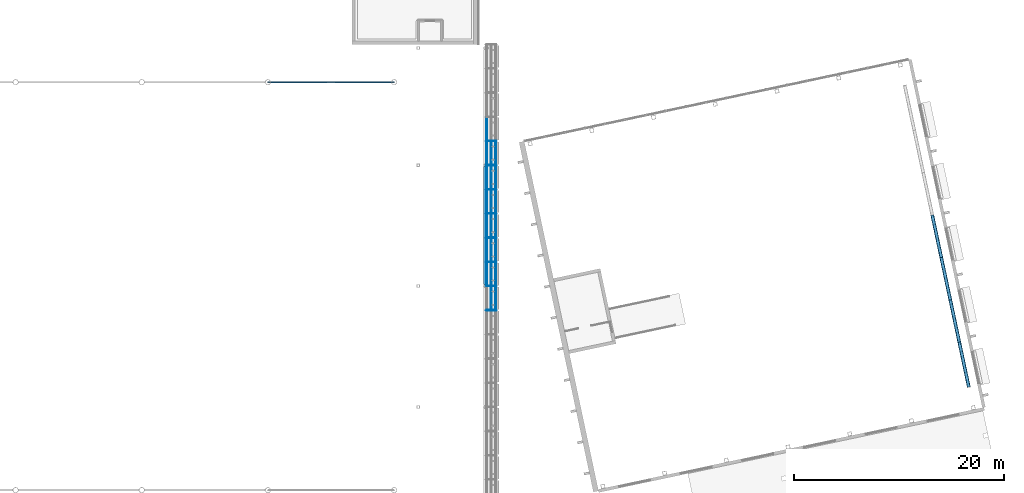
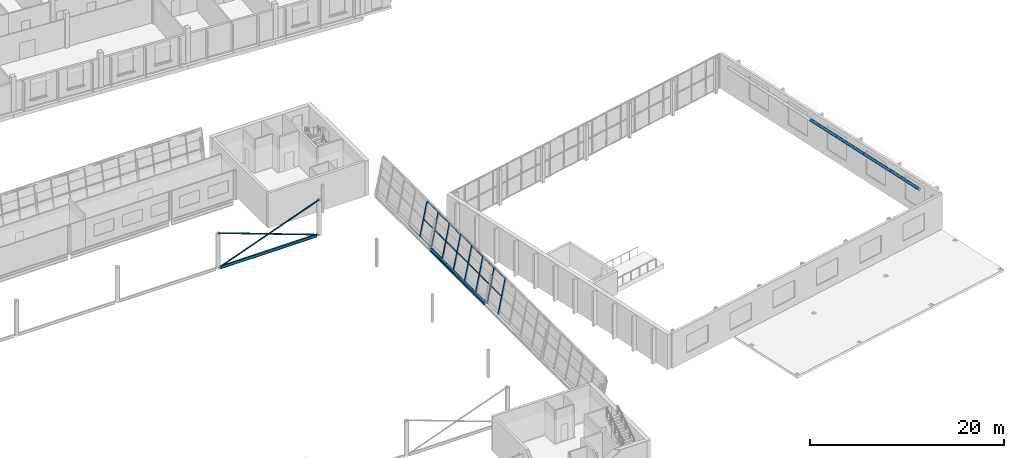
# One storey, part 31 of 95: 36 members, 2 beams, 1 element without a shape of its own.
"""IFC4 building model written with IfcOpenShell, lengths in metres."""

from ifc_helpers import new_model, si_unit, direction, frame, origin, origin_2d, place, context, subcontext, project, spatial, rectangle, hollow_circle, i_section, extrude, material, layer, layer_set, material_profile, profile_set, type_object, element, aggregate, save


model = new_model("IFC4")

# Units and contexts
model_context = context("Model", 3, precision=1e-05, world=origin(), true_north=direction((0.0, 1.0)))
body_context = subcontext(model_context, "Body", "Model", "MODEL_VIEW")
ifc_project = project(units=[si_unit("LENGTHUNIT", "METRE"), si_unit("AREAUNIT", "SQUARE_METRE"), si_unit("VOLUMEUNIT", "CUBIC_METRE"), si_unit("PLANEANGLEUNIT", "RADIAN"), si_unit("MASSUNIT", "GRAM", prefix="KILO")], contexts=[model_context])

# Site, building, storey
site_placement = place(None, origin())
site = spatial("IfcSite", under=ifc_project, at=site_placement, CompositionType="ELEMENT")
building_placement = place(site_placement, origin())
building = spatial("IfcBuilding", under=site, at=building_placement, Name="Windward Yard Aquatics Centre", CompositionType="ELEMENT")
storey_placement = place(building_placement, frame((0.0, 0.0, 9.39990234375)))
storey = spatial("IfcBuildingStorey", under=building, at=storey_placement, Name="L02", CompositionType="ELEMENT", Elevation=9.39990234375)

# Members
ifc_material_1 = material(Name="Steel ASTM A500 Gr C", Category="steel")
ifc_material_profile_1 = material_profile(ifc_material_1, hollow_circle(Radius=0.161865234375, WallThickness=0.0126953125, at=origin_2d()), Name="HSS323.9X12.7")
ifc_profile_set_1 = profile_set([ifc_material_profile_1], Name="Steel ASTM A500 Gr C")
member_type_1 = type_object("IfcMemberType", Name="D bottom chord HSS323.9X12.7", PredefinedType="CHORD", material=ifc_profile_set_1)
member_1_placement = place(storey_placement, frame((198.656982421875, 51.391357421875, 4.16796875), z_axis=(-0.207918885104, 0.978146071513, 0.0), x_axis=(-0.978146071513, -0.207918885104, 0.0)))
element("IfcMember", 1, at=member_1_placement, inside=storey, type_object=member_type_1, Name="D.M.TR7.BC1", PredefinedType="CHORD", context=body_context, shape_type="SweptSolid", body=[
    extrude(hollow_circle(Radius=0.161865234375, WallThickness=0.0126953125, at=origin_2d()), origin(), (0.0, 0.0, 1.0), 4.370361328125),
])
for number, where, z_axis, x_axis, name in (
    (2, (197.748291015625, 55.666259765625, 4.16796875), (-0.207906233063, 0.978148760799, 0.0), (-0.978148760799, -0.207906233063, 0.0), "D.M.TR7.BC2"),
    (3, (196.8916015625, 59.69677734375, 4.16796875), (-0.207906233063, 0.978148760799, 0.0), (-0.978148760799, -0.207906233063, 0.0), "D.M.TR7.BC3"),
):
    element("IfcMember", number, at=place(storey_placement, frame(where, z_axis=z_axis, x_axis=x_axis)), inside=storey, type_object=member_type_1, Name=name, PredefinedType="CHORD", context=body_context, shape_type="SweptSolid", body=[
        extrude(hollow_circle(Radius=0.161865234375, WallThickness=0.0126953125, at=origin_2d()), origin(), (0.0, 0.0, 1.0), 4.12060546875),
    ])
member_2_placement = place(storey_placement, frame((196.034912109375, 63.727294921875, 4.16796875), z_axis=(-0.2079182829, 0.97814619952, 0.0), x_axis=(-0.97814619952, -0.2079182829, 0.0)))
element("IfcMember", 4, at=member_2_placement, inside=storey, type_object=member_type_1, Name="D.M.TR7.BC4", PredefinedType="CHORD", context=body_context, shape_type="SweptSolid", body=[
    extrude(hollow_circle(Radius=0.161865234375, WallThickness=0.0126953125, at=origin_2d()), origin(), (0.0, 0.0, 1.0), 4.120361328125),
])

# Curtain wall, members
ifc_material_2 = material(Name="Glass and aluminium curtain wall", Category="aluminium")
ifc_layer = layer(ifc_material_2, 0.179931640625)
ifc_layer_set = layer_set([ifc_layer], Name="H curtain wall tier 1 double glazed 8+16+8")
curtain_wall_type = type_object("IfcCurtainWallType", Name="H curtain wall tier 1 double glazed 8+16+8", PredefinedType="NOTDEFINED", material=ifc_layer_set)
curtain_wall_placement = place(storey_placement, origin())
curtain_wall = element("IfcCurtainWall", 5, at=curtain_wall_placement, inside=storey, type_object=curtain_wall_type, Name="Tier 1 glazing E L02", PredefinedType="NOTDEFINED")
ifc_material_3 = material(Name="Aluminium 6063-T6 anodised", Category="aluminium")
ifc_material_profile_2 = material_profile(ifc_material_3, rectangle(XDim=0.06494140625, YDim=0.179931640625, at=origin_2d()), Name="H CW mullion 65x180")
ifc_profile_set_2 = profile_set([ifc_material_profile_2], Name="Aluminium 6063-T6 anodised")
member_type_2 = type_object("IfcMemberType", Name="H CW mullion 65x180", PredefinedType="MULLION", material=ifc_profile_set_2)
member_3_placement = place(storey_placement, frame((152.803466796875, 58.699951171875, 0.0), z_axis=(0.199322032497, 0.0, 0.979934042352), x_axis=(0.0, 1.0, 0.0)))
member_3 = element("IfcMember", 6, at=member_3_placement, type_object=member_type_2, Name="G1EA mullion 10", PredefinedType="MULLION", context=body_context, shape_type="SweptSolid", body=[
    extrude(rectangle(XDim=0.06494140625, YDim=0.179931640625, at=origin_2d()), origin(), (0.0, 0.0, 1.0), 4.31884765625),
])
member_4_placement = place(storey_placement, frame((152.803466796875, 61.0, 0.0), z_axis=(0.199322032497, 0.0, 0.979934042352), x_axis=(0.0, 1.0, 0.0)))
member_4 = element("IfcMember", 7, at=member_4_placement, type_object=member_type_2, Name="G1EA mullion 11", PredefinedType="MULLION", context=body_context, shape_type="SweptSolid", body=[
    extrude(rectangle(XDim=0.06494140625, YDim=0.179931640625, at=origin_2d()), origin(), (0.0, 0.0, 1.0), 4.31884765625),
])
member_5_placement = place(storey_placement, frame((152.803466796875, 63.300048828125, 0.0), z_axis=(0.199322032497, 0.0, 0.979934042352), x_axis=(0.0, 1.0, 0.0)))
member_5 = element("IfcMember", 8, at=member_5_placement, type_object=member_type_2, Name="G1EA mullion 12", PredefinedType="MULLION", context=body_context, shape_type="SweptSolid", body=[
    extrude(rectangle(XDim=0.06494140625, YDim=0.179931640625, at=origin_2d()), origin(), (0.0, 0.0, 1.0), 4.31884765625),
])
member_6_placement = place(storey_placement, frame((152.803466796875, 65.60009765625, 0.0), z_axis=(0.199322032497, 0.0, 0.979934042352), x_axis=(0.0, 1.0, 0.0)))
member_6 = element("IfcMember", 9, at=member_6_placement, type_object=member_type_2, Name="G1EA mullion 13", PredefinedType="MULLION", context=body_context, shape_type="SweptSolid", body=[
    extrude(rectangle(XDim=0.06494140625, YDim=0.179931640625, at=origin_2d()), origin(), (0.0, 0.0, 1.0), 4.31884765625),
])
member_7_placement = place(storey_placement, frame((152.803466796875, 67.89990234375, 0.0), z_axis=(0.199322032497, 0.0, 0.979934042352), x_axis=(0.0, 1.0, 0.0)))
member_7 = element("IfcMember", 10, at=member_7_placement, type_object=member_type_2, Name="G1EA mullion 14", PredefinedType="MULLION", context=body_context, shape_type="SweptSolid", body=[
    extrude(rectangle(XDim=0.06494140625, YDim=0.179931640625, at=origin_2d()), origin(), (0.0, 0.0, 1.0), 4.31884765625),
])
member_8_placement = place(storey_placement, frame((152.803466796875, 70.199951171875, 0.0), z_axis=(0.199322032497, 0.0, 0.979934042352), x_axis=(0.0, 1.0, 0.0)))
member_8 = element("IfcMember", 11, at=member_8_placement, type_object=member_type_2, Name="G1EA mullion 15", PredefinedType="MULLION", context=body_context, shape_type="SweptSolid", body=[
    extrude(rectangle(XDim=0.06494140625, YDim=0.179931640625, at=origin_2d()), origin(), (0.0, 0.0, 1.0), 4.31884765625),
])
member_9_placement = place(storey_placement, frame((152.803466796875, 72.5, 0.0), z_axis=(0.199322032497, 0.0, 0.979934042352), x_axis=(0.0, 1.0, 0.0)))
member_9 = element("IfcMember", 12, at=member_9_placement, type_object=member_type_2, Name="G1EA mullion 16", PredefinedType="MULLION", context=body_context, shape_type="SweptSolid", body=[
    extrude(rectangle(XDim=0.06494140625, YDim=0.179931640625, at=origin_2d()), origin(), (0.0, 0.0, 1.0), 4.31884765625),
])
member_10_placement = place(storey_placement, frame((152.803466796875, 74.800048828125, 0.0), z_axis=(0.199322032497, 0.0, 0.979934042352), x_axis=(0.0, 1.0, 0.0)))
member_10 = element("IfcMember", 13, at=member_10_placement, type_object=member_type_2, Name="G1EA mullion 17", PredefinedType="MULLION", context=body_context, shape_type="SweptSolid", body=[
    extrude(rectangle(XDim=0.06494140625, YDim=0.179931640625, at=origin_2d()), origin(), (0.0, 0.0, 1.0), 4.31884765625),
])
ifc_material_profile_3 = material_profile(ifc_material_3, rectangle(XDim=0.06494140625, YDim=0.10009765625, at=origin_2d()), Name="H CW transom 65x100")
ifc_profile_set_3 = profile_set([ifc_material_profile_3], Name="Aluminium 6063-T6 anodised")
member_type_3 = type_object("IfcMemberType", Name="H CW transom 65x100", PredefinedType="USERDEFINED", material=ifc_profile_set_3)
member_11_placement = place(storey_placement, frame((153.235595703125, 58.732421875, 2.125), z_axis=(0.0, 1.0, 0.0), x_axis=(-0.9799247046, 0.0, 0.19936793452)))
member_11 = element("IfcMember", 14, at=member_11_placement, type_object=member_type_3, Name="G1EA transom 10.2", ObjectType="TRANSOM", PredefinedType="USERDEFINED", context=body_context, shape_type="SweptSolid", body=[
    extrude(rectangle(XDim=0.06494140625, YDim=0.10009765625, at=origin_2d()), origin(), (0.0, 0.0, 1.0), 2.235107421875),
])
member_12_placement = place(storey_placement, frame((153.65673828125, 58.732421875, 4.194580078125), z_axis=(0.0, 1.0, 0.0), x_axis=(-0.9799247046, 0.0, 0.19936793452)))
member_12 = element("IfcMember", 15, at=member_12_placement, type_object=member_type_3, Name="G1EA transom 10.3", ObjectType="TRANSOM", PredefinedType="USERDEFINED", context=body_context, shape_type="SweptSolid", body=[
    extrude(rectangle(XDim=0.06494140625, YDim=0.10009765625, at=origin_2d()), origin(), (0.0, 0.0, 1.0), 2.235107421875),
])
member_13_placement = place(storey_placement, frame((152.813232421875, 61.032470703125, 0.049072265625), z_axis=(0.0, 1.0, 0.0), x_axis=(-0.9799247046, 0.0, 0.19936793452)))
member_13 = element("IfcMember", 16, at=member_13_placement, type_object=member_type_3, Name="G1EA transom 11.1", ObjectType="TRANSOM", PredefinedType="USERDEFINED", context=body_context, shape_type="SweptSolid", body=[
    extrude(rectangle(XDim=0.06494140625, YDim=0.10009765625, at=origin_2d()), origin(), (0.0, 0.0, 1.0), 2.235107421875),
])
member_14_placement = place(storey_placement, frame((153.235595703125, 61.032470703125, 2.125), z_axis=(0.0, 1.0, 0.0), x_axis=(-0.9799247046, 0.0, 0.19936793452)))
member_14 = element("IfcMember", 17, at=member_14_placement, type_object=member_type_3, Name="G1EA transom 11.2", ObjectType="TRANSOM", PredefinedType="USERDEFINED", context=body_context, shape_type="SweptSolid", body=[
    extrude(rectangle(XDim=0.06494140625, YDim=0.10009765625, at=origin_2d()), origin(), (0.0, 0.0, 1.0), 2.235107421875),
])
member_15_placement = place(storey_placement, frame((153.65673828125, 61.032470703125, 4.194580078125), z_axis=(0.0, 1.0, 0.0), x_axis=(-0.9799247046, 0.0, 0.19936793452)))
member_15 = element("IfcMember", 18, at=member_15_placement, type_object=member_type_3, Name="G1EA transom 11.3", ObjectType="TRANSOM", PredefinedType="USERDEFINED", context=body_context, shape_type="SweptSolid", body=[
    extrude(rectangle(XDim=0.06494140625, YDim=0.10009765625, at=origin_2d()), origin(), (0.0, 0.0, 1.0), 2.235107421875),
])
member_16_placement = place(storey_placement, frame((152.813232421875, 63.33251953125, 0.049072265625), z_axis=(0.0, 1.0, 0.0), x_axis=(-0.9799247046, 0.0, 0.19936793452)))
member_16 = element("IfcMember", 19, at=member_16_placement, type_object=member_type_3, Name="G1EA transom 12.1", ObjectType="TRANSOM", PredefinedType="USERDEFINED", context=body_context, shape_type="SweptSolid", body=[
    extrude(rectangle(XDim=0.06494140625, YDim=0.10009765625, at=origin_2d()), origin(), (0.0, 0.0, 1.0), 2.23486328125),
])
member_17_placement = place(storey_placement, frame((153.235595703125, 63.33251953125, 2.125), z_axis=(0.0, 1.0, 0.0), x_axis=(-0.9799247046, 0.0, 0.19936793452)))
member_17 = element("IfcMember", 20, at=member_17_placement, type_object=member_type_3, Name="G1EA transom 12.2", ObjectType="TRANSOM", PredefinedType="USERDEFINED", context=body_context, shape_type="SweptSolid", body=[
    extrude(rectangle(XDim=0.06494140625, YDim=0.10009765625, at=origin_2d()), origin(), (0.0, 0.0, 1.0), 2.23486328125),
])
member_18_placement = place(storey_placement, frame((153.65673828125, 63.33251953125, 4.194580078125), z_axis=(0.0, 1.0, 0.0), x_axis=(-0.9799247046, 0.0, 0.19936793452)))
member_18 = element("IfcMember", 21, at=member_18_placement, type_object=member_type_3, Name="G1EA transom 12.3", ObjectType="TRANSOM", PredefinedType="USERDEFINED", context=body_context, shape_type="SweptSolid", body=[
    extrude(rectangle(XDim=0.06494140625, YDim=0.10009765625, at=origin_2d()), origin(), (0.0, 0.0, 1.0), 2.23486328125),
])
member_19_placement = place(storey_placement, frame((152.813232421875, 65.632568359375, 0.049072265625), z_axis=(0.0, 1.0, 0.0), x_axis=(-0.9799247046, 0.0, 0.19936793452)))
member_19 = element("IfcMember", 22, at=member_19_placement, type_object=member_type_3, Name="G1EA transom 13.1", ObjectType="TRANSOM", PredefinedType="USERDEFINED", context=body_context, shape_type="SweptSolid", body=[
    extrude(rectangle(XDim=0.06494140625, YDim=0.10009765625, at=origin_2d()), origin(), (0.0, 0.0, 1.0), 2.23486328125),
])
member_20_placement = place(storey_placement, frame((153.235595703125, 65.632568359375, 2.125), z_axis=(0.0, 1.0, 0.0), x_axis=(-0.9799247046, 0.0, 0.19936793452)))
member_20 = element("IfcMember", 23, at=member_20_placement, type_object=member_type_3, Name="G1EA transom 13.2", ObjectType="TRANSOM", PredefinedType="USERDEFINED", context=body_context, shape_type="SweptSolid", body=[
    extrude(rectangle(XDim=0.06494140625, YDim=0.10009765625, at=origin_2d()), origin(), (0.0, 0.0, 1.0), 2.23486328125),
])
member_21_placement = place(storey_placement, frame((153.65673828125, 65.632568359375, 4.194580078125), z_axis=(0.0, 1.0, 0.0), x_axis=(-0.9799247046, 0.0, 0.19936793452)))
member_21 = element("IfcMember", 24, at=member_21_placement, type_object=member_type_3, Name="G1EA transom 13.3", ObjectType="TRANSOM", PredefinedType="USERDEFINED", context=body_context, shape_type="SweptSolid", body=[
    extrude(rectangle(XDim=0.06494140625, YDim=0.10009765625, at=origin_2d()), origin(), (0.0, 0.0, 1.0), 2.23486328125),
])
member_22_placement = place(storey_placement, frame((152.813232421875, 67.9326171875, 0.049072265625), z_axis=(0.0, 1.0, 0.0), x_axis=(-0.9799247046, 0.0, 0.19936793452)))
member_22 = element("IfcMember", 25, at=member_22_placement, type_object=member_type_3, Name="G1EA transom 14.1", ObjectType="TRANSOM", PredefinedType="USERDEFINED", context=body_context, shape_type="SweptSolid", body=[
    extrude(rectangle(XDim=0.06494140625, YDim=0.10009765625, at=origin_2d()), origin(), (0.0, 0.0, 1.0), 2.23486328125),
])
member_23_placement = place(storey_placement, frame((153.235595703125, 67.9326171875, 2.125), z_axis=(0.0, 1.0, 0.0), x_axis=(-0.9799247046, 0.0, 0.19936793452)))
member_23 = element("IfcMember", 26, at=member_23_placement, type_object=member_type_3, Name="G1EA transom 14.2", ObjectType="TRANSOM", PredefinedType="USERDEFINED", context=body_context, shape_type="SweptSolid", body=[
    extrude(rectangle(XDim=0.06494140625, YDim=0.10009765625, at=origin_2d()), origin(), (0.0, 0.0, 1.0), 2.23486328125),
])
member_24_placement = place(storey_placement, frame((153.65673828125, 67.9326171875, 4.194580078125), z_axis=(0.0, 1.0, 0.0), x_axis=(-0.9799247046, 0.0, 0.19936793452)))
member_24 = element("IfcMember", 27, at=member_24_placement, type_object=member_type_3, Name="G1EA transom 14.3", ObjectType="TRANSOM", PredefinedType="USERDEFINED", context=body_context, shape_type="SweptSolid", body=[
    extrude(rectangle(XDim=0.06494140625, YDim=0.10009765625, at=origin_2d()), origin(), (0.0, 0.0, 1.0), 2.23486328125),
])
member_25_placement = place(storey_placement, frame((152.813232421875, 70.232421875, 0.049072265625), z_axis=(0.0, 1.0, 0.0), x_axis=(-0.9799247046, 0.0, 0.19936793452)))
member_25 = element("IfcMember", 28, at=member_25_placement, type_object=member_type_3, Name="G1EA transom 15.1", ObjectType="TRANSOM", PredefinedType="USERDEFINED", context=body_context, shape_type="SweptSolid", body=[
    extrude(rectangle(XDim=0.06494140625, YDim=0.10009765625, at=origin_2d()), origin(), (0.0, 0.0, 1.0), 2.235107421875),
])
member_26_placement = place(storey_placement, frame((153.235595703125, 70.232421875, 2.125), z_axis=(0.0, 1.0, 0.0), x_axis=(-0.9799247046, 0.0, 0.19936793452)))
member_26 = element("IfcMember", 29, at=member_26_placement, type_object=member_type_3, Name="G1EA transom 15.2", ObjectType="TRANSOM", PredefinedType="USERDEFINED", context=body_context, shape_type="SweptSolid", body=[
    extrude(rectangle(XDim=0.06494140625, YDim=0.10009765625, at=origin_2d()), origin(), (0.0, 0.0, 1.0), 2.235107421875),
])
member_27_placement = place(storey_placement, frame((153.65673828125, 70.232421875, 4.194580078125), z_axis=(0.0, 1.0, 0.0), x_axis=(-0.9799247046, 0.0, 0.19936793452)))
member_27 = element("IfcMember", 30, at=member_27_placement, type_object=member_type_3, Name="G1EA transom 15.3", ObjectType="TRANSOM", PredefinedType="USERDEFINED", context=body_context, shape_type="SweptSolid", body=[
    extrude(rectangle(XDim=0.06494140625, YDim=0.10009765625, at=origin_2d()), origin(), (0.0, 0.0, 1.0), 2.235107421875),
])
member_28_placement = place(storey_placement, frame((152.813232421875, 72.532470703125, 0.049072265625), z_axis=(0.0, 1.0, 0.0), x_axis=(-0.9799247046, 0.0, 0.19936793452)))
member_28 = element("IfcMember", 31, at=member_28_placement, type_object=member_type_3, Name="G1EA transom 16.1", ObjectType="TRANSOM", PredefinedType="USERDEFINED", context=body_context, shape_type="SweptSolid", body=[
    extrude(rectangle(XDim=0.06494140625, YDim=0.10009765625, at=origin_2d()), origin(), (0.0, 0.0, 1.0), 2.235107421875),
])
member_29_placement = place(storey_placement, frame((153.235595703125, 72.532470703125, 2.125), z_axis=(0.0, 1.0, 0.0), x_axis=(-0.9799247046, 0.0, 0.19936793452)))
member_29 = element("IfcMember", 32, at=member_29_placement, type_object=member_type_3, Name="G1EA transom 16.2", ObjectType="TRANSOM", PredefinedType="USERDEFINED", context=body_context, shape_type="SweptSolid", body=[
    extrude(rectangle(XDim=0.06494140625, YDim=0.10009765625, at=origin_2d()), origin(), (0.0, 0.0, 1.0), 2.235107421875),
])
member_30_placement = place(storey_placement, frame((153.65673828125, 72.532470703125, 4.194580078125), z_axis=(0.0, 1.0, 0.0), x_axis=(-0.9799247046, 0.0, 0.19936793452)))
member_30 = element("IfcMember", 33, at=member_30_placement, type_object=member_type_3, Name="G1EA transom 16.3", ObjectType="TRANSOM", PredefinedType="USERDEFINED", context=body_context, shape_type="SweptSolid", body=[
    extrude(rectangle(XDim=0.06494140625, YDim=0.10009765625, at=origin_2d()), origin(), (0.0, 0.0, 1.0), 2.235107421875),
])
member_31_placement = place(storey_placement, frame((152.813232421875, 74.83251953125, 0.049072265625), z_axis=(0.0, 1.0, 0.0), x_axis=(-0.9799247046, 0.0, 0.19936793452)))
member_31 = element("IfcMember", 34, at=member_31_placement, type_object=member_type_3, Name="G1EA transom 17.1", ObjectType="TRANSOM", PredefinedType="USERDEFINED", context=body_context, shape_type="SweptSolid", body=[
    extrude(rectangle(XDim=0.06494140625, YDim=0.10009765625, at=origin_2d()), origin(), (0.0, 0.0, 1.0), 2.23486328125),
])
aggregate(curtain_wall, [member_3, member_4, member_5, member_6, member_7, member_8, member_9, member_10, member_11, member_12, member_13, member_14, member_15, member_16, member_17, member_18, member_19, member_20, member_21, member_22, member_23, member_24, member_25, member_26, member_27, member_28, member_29, member_30, member_31])

# Beam
ifc_material_4 = material(Name="Steel ASTM A992 Gr 50", Category="steel")
ifc_material_profile_4 = material_profile(ifc_material_4, i_section(OverallWidth=0.172119140625, OverallDepth=0.35791015625, WebThickness=0.0078125, FlangeThickness=0.01318359375, at=origin_2d()), Name="W360X57.8")
ifc_profile_set_4 = profile_set([ifc_material_profile_4], Name="Steel ASTM A992 Gr 50")
beam_type_1 = type_object("IfcBeamType", Name="H arch column tie beam W360X57.8", PredefinedType="BEAM", material=ifc_profile_set_4)
beam_1_placement = place(storey_placement, frame((132.25390625, 80.39990234375, 0.0), z_axis=(1.0, 0.0, 0.0), x_axis=(0.0, 1.0, 0.0)))
element("IfcBeam", 35, at=beam_1_placement, inside=storey, type_object=beam_type_1, Name="H.TB.N7.T2", PredefinedType="BEAM", context=body_context, shape_type="SweptSolid", body=[
    extrude(i_section(OverallWidth=0.172119140625, OverallDepth=0.35791015625, WebThickness=0.0078125, FlangeThickness=0.01318359375, at=origin_2d()), origin(), (0.0, 0.0, 1.0), 11.4921875),
])

# Members
ifc_material_profile_5 = material_profile(ifc_material_1, hollow_circle(Radius=0.084228515625, WallThickness=0.010986328125, at=origin_2d()), Name="HSS168.3X11")
ifc_profile_set_5 = profile_set([ifc_material_profile_5], Name="Steel ASTM A500 Gr C")
member_type_4 = type_object("IfcMemberType", Name="H column brace HSS168.3X11", PredefinedType="BRACE", material=ifc_profile_set_5)
member_32_placement = place(storey_placement, frame((132.0, 80.39990234375, 0.0), z_axis=(0.938872611543, 0.0, 0.344264751746), x_axis=(0.0, 1.0, 0.0)))
element("IfcMember", 36, at=member_32_placement, inside=storey, type_object=member_type_4, Name="H.VB.N7.L02.A", PredefinedType="BRACE", context=body_context, shape_type="SweptSolid", body=[
    extrude(hollow_circle(Radius=0.084228515625, WallThickness=0.010986328125, at=origin_2d()), origin(), (0.0, 0.0, 1.0), 12.78125),
])
for number, where, z_axis, x_axis, name in (
    (37, (132.0, 80.39990234375, 4.400146484375), (0.938872965334, 0.0, -0.344263786891), (0.0, 1.0, 0.0), "H.VB.N7.L02.B1"),
    (38, (138.103515625, 80.39990234375, 2.162109375), (0.938872965334, 0.0, -0.344263786891), (0.0, 1.0, 0.0), "H.VB.N7.L02.B2"),
):
    element("IfcMember", number, at=place(storey_placement, frame(where, z_axis=z_axis, x_axis=x_axis)), inside=storey, type_object=member_type_4, Name=name, PredefinedType="BRACE", context=body_context, shape_type="SweptSolid", body=[
        extrude(hollow_circle(Radius=0.084228515625, WallThickness=0.010986328125, at=origin_2d()), origin(), (0.0, 0.0, 1.0), 6.2802734375),
    ])

# Beam
ifc_material_profile_6 = material_profile(ifc_material_4, i_section(OverallWidth=0.202880859375, OverallDepth=0.302001953125, WebThickness=0.007568359375, FlangeThickness=0.01318359375, at=origin_2d()), Name="W310X60")
ifc_profile_set_6 = profile_set([ifc_material_profile_6], Name="Steel ASTM A992 Gr 50")
beam_type_2 = type_object("IfcBeamType", Name="H tier ring beam W310X60", PredefinedType="BEAM", material=ifc_profile_set_6)
beam_2_placement = place(storey_placement, frame((152.59521484375, 61.136474609375, 0.0), z_axis=(0.0, 1.0, 0.0), x_axis=(-1.0, 0.0, 0.0)))
element("IfcBeam", 39, at=beam_2_placement, inside=storey, type_object=beam_type_2, Name="H.RG.E3.1", PredefinedType="BEAM", context=body_context, shape_type="SweptSolid", body=[
    extrude(i_section(OverallWidth=0.202880859375, OverallDepth=0.302001953125, WebThickness=0.007568359375, FlangeThickness=0.01318359375, at=origin_2d()), origin(), (0.0, 0.0, 1.0), 11.22705078125),
])

save(model, "model.ifc")
